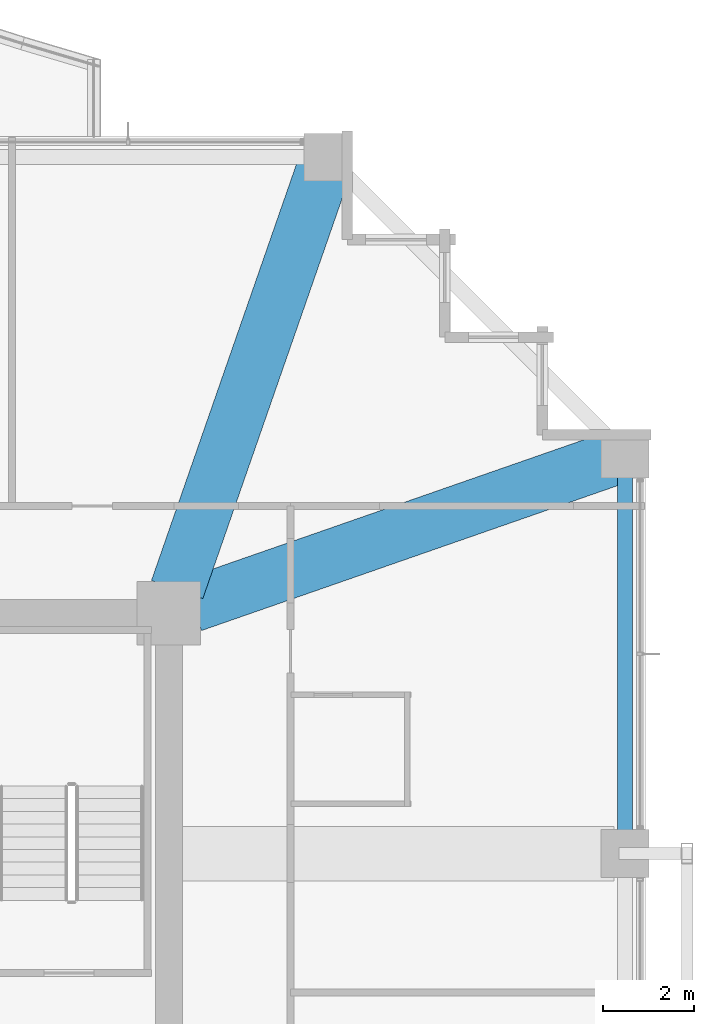
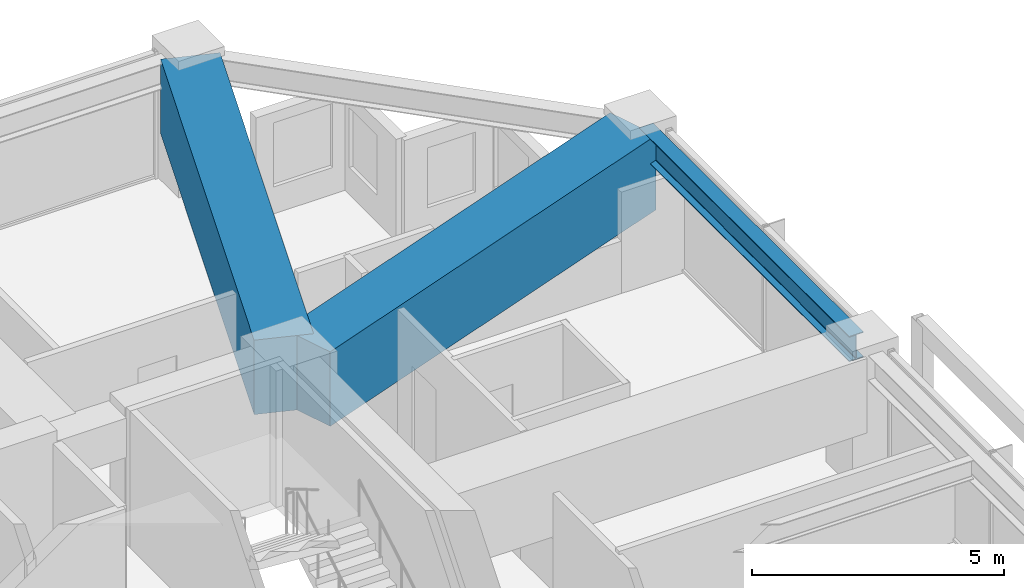
# One storey, part 25 of 39: 3 beams.
"""IFC4 building model written with IfcOpenShell, lengths in metres."""

import ifcopenshell
import ifcopenshell.guid

model = None  # the IFC model being written
_history = None  # IfcOwnerHistory: only IFC2X3 demands one
_inside = {}  # id of a spatial element -> (the spatial element, [elements in it])
_under = {}  # id of a project, library or spatial element -> (it, [spatial elements below it])
_declared = {}  # id of a project -> (the project, [libraries it declares])
_typed = {}  # id of a type object -> (the type object, [elements of that type])
_made_of = {}  # id of a material, layer set ... -> (it, [elements and type objects made of it])


def new_model(schema):
    """Start an empty IFC model of exactly this schema.

    Asked for "IFC4X3", IfcOpenShell would pick the latest addendum, in which some entities
    have other attributes; the version numbers below select the first issue.
    IFC2X3 requires an IfcOwnerHistory on every rooted entity: one is made here for all.
    """
    global model, _history
    if schema == "IFC4X3":
        model = ifcopenshell.file(schema_version=(4, 3, 0, 0))
    else:
        model = ifcopenshell.file(schema=schema)
    _inside.clear()
    _under.clear()
    _declared.clear()
    _typed.clear()
    _made_of.clear()
    _history = None
    if model.schema == "IFC2X3":
        org = make("IfcOrganization", Name="unknown")
        user = make(
            "IfcPersonAndOrganization",
            ThePerson=make("IfcPerson", FamilyName="unknown"),
            TheOrganization=org,
        )
        app = make(
            "IfcApplication",
            ApplicationDeveloper=org,
            Version="unknown",
            ApplicationFullName="unknown",
            ApplicationIdentifier="unknown",
        )
        _history = make(
            "IfcOwnerHistory",
            OwningUser=user,
            OwningApplication=app,
            ChangeAction="ADDED",
            CreationDate=0,
        )
    return model


def make(cls, **values):
    """One entity of the class cls with the attributes given. An attribute that is None is left unset."""
    return model.create_entity(
        cls, **{name: value for name, value in values.items() if value is not None}
    )


def rooted(cls, **values):
    """An entity with a GlobalId (a new one), such as an element, a storey or a relation."""
    return make(cls, GlobalId=ifcopenshell.guid.new(), OwnerHistory=_history, **values)


def si_unit(unit_type, name, prefix=None):
    """IfcSIUnit, for example si_unit("LENGTHUNIT", "METRE", prefix="MILLI")."""
    return make("IfcSIUnit", UnitType=unit_type, Prefix=prefix, Name=name)


def assignment(units):
    """IfcUnitAssignment: the units of a project."""
    return None if units is None else make("IfcUnitAssignment", Units=units)


def point(xyz):
    """IfcCartesianPoint."""
    return None if xyz is None else make("IfcCartesianPoint", Coordinates=xyz)


def direction(xyz):
    """IfcDirection."""
    return None if xyz is None else make("IfcDirection", DirectionRatios=xyz)


def frame(location, z_axis=None, x_axis=None):
    """IfcAxis2Placement3D, a coordinate frame: its origin and axes. An axis left out is left unset."""
    return make(
        "IfcAxis2Placement3D",
        Location=point(location),
        Axis=direction(z_axis),
        RefDirection=direction(x_axis),
    )


def frame_2d(location, x_axis=None):
    """IfcAxis2Placement2D, a coordinate frame in the plane: its origin and x axis."""
    return make(
        "IfcAxis2Placement2D", Location=point(location), RefDirection=direction(x_axis)
    )


def origin():
    """The frame at (0, 0, 0) with its axes left unset."""
    return frame((0.0, 0.0, 0.0))


def origin_2d():
    """The frame at (0, 0) in the plane with its x axis left unset."""
    return frame_2d((0.0, 0.0))


def place(relative_to, where):
    """IfcLocalPlacement: puts the frame where relative to a parent placement (None: the world)."""
    return make(
        "IfcLocalPlacement", PlacementRelTo=relative_to, RelativePlacement=where
    )


def context(
    kind, dimensions, precision=None, world=None, true_north=None, identifier=None
):
    """IfcGeometricRepresentationContext, for example the 3D "Model" context."""
    return make(
        "IfcGeometricRepresentationContext",
        ContextIdentifier=identifier,
        ContextType=kind,
        CoordinateSpaceDimension=dimensions,
        Precision=precision,
        WorldCoordinateSystem=world,
        TrueNorth=true_north,
    )


def subcontext(parent, identifier, kind, view, scale=None):
    """IfcGeometricRepresentationSubContext, for example "Body" below "Model"."""
    return make(
        "IfcGeometricRepresentationSubContext",
        ContextIdentifier=identifier,
        ContextType=kind,
        ParentContext=parent,
        TargetScale=scale,
        TargetView=view,
    )


def project(units=None, contexts=None):
    """IfcProject with its units and contexts."""
    return rooted(
        "IfcProject",
        Name="project",
        RepresentationContexts=contexts,
        UnitsInContext=assignment(units),
    )


def spatial(cls, under=None, at=None, **own):
    """A site, building, storey or space (cls), placed at a placement, below another one or the project."""
    s = rooted(cls, ObjectPlacement=at, **own)
    if under is not None:
        _under.setdefault(under.id(), (under, []))[1].append(s)
    return s


def profile(cls, at=None, kind="AREA", **sizes):
    """A parametric profile (cls). Its sizes go by their IFC names, for example OverallWidth=200.0."""
    return make(cls, ProfileType=kind, Position=at, **sizes)


def rectangle(**sizes):
    """IfcRectangleProfileDef."""
    return profile("IfcRectangleProfileDef", **sizes)


def i_section(**sizes):
    """IfcIShapeProfileDef."""
    return profile("IfcIShapeProfileDef", **sizes)


def extrude(swept, where, along, depth):
    """IfcExtrudedAreaSolid: the profile swept, set in the frame where, extruded along a direction by depth."""
    return make(
        "IfcExtrudedAreaSolid",
        SweptArea=swept,
        Position=where,
        ExtrudedDirection=direction(along),
        Depth=depth,
    )


def shape(context_of_items, identifier, shape_type, items):
    """IfcShapeRepresentation: the items that make up one representation, for example the "Body"."""
    return make(
        "IfcShapeRepresentation",
        ContextOfItems=context_of_items,
        RepresentationIdentifier=identifier,
        RepresentationType=shape_type,
        Items=items,
    )


def material(Name=None, Category=None):
    """IfcMaterial."""
    return make("IfcMaterial", Name=Name, Category=Category)


def material_profile(
    of_material, cross_section, Name=None, Category=None, Priority=None
):
    """IfcMaterialProfile: a cross section and its material."""
    return make(
        "IfcMaterialProfile",
        Name=Name,
        Material=of_material,
        Profile=cross_section,
        Priority=Priority,
        Category=Category,
    )


def profile_set(profiles, Name=None, composite=None):
    """IfcMaterialProfileSet."""
    return make(
        "IfcMaterialProfileSet",
        Name=Name,
        MaterialProfiles=profiles,
        CompositeProfile=composite,
    )


def made_of(thing, what):
    """Note that an element or type object is made of a material, layer set ...; save() writes the relation."""
    if what is not None:
        _made_of.setdefault(what.id(), (what, []))[1].append(thing)
    return thing


def type_object(cls, material=None, **own):
    """A type object (cls), such as IfcWallType, which elements share."""
    return made_of(rooted(cls, **own), material)


def element(
    cls,
    number,
    at=None,
    inside=None,
    cuts=None,
    type_object=None,
    material=None,
    context=None,
    identifier="Body",
    shape_type=None,
    held_by="IfcProductDefinitionShape",
    body=None,
    shapes=None,
    **own,
):
    """One element of the class cls, such as IfcWall. Its Tag is "e" and its number.

    at: its placement. inside: the storey or other place that contains it. cuts: it is an
    opening in that element (IfcRelVoidsElement). A single representation is given by context,
    identifier, shape_type and body (its items); several are given by shapes. held_by: the class
    of the entity that holds the representations. save() writes the other relations.
    """
    e = rooted(cls, Tag="e%d" % number, ObjectPlacement=at, **own)
    if body is not None:
        shapes = [shape(context, identifier, shape_type, body)]
    if shapes is not None:
        e.Representation = make(held_by, Representations=shapes)
    if inside is not None:
        _inside.setdefault(inside.id(), (inside, []))[1].append(e)
    if cuts is not None:
        rooted(
            "IfcRelVoidsElement", RelatingBuildingElement=cuts, RelatedOpeningElement=e
        )
    if type_object is not None:
        _typed.setdefault(type_object.id(), (type_object, []))[1].append(e)
    return made_of(e, material)


def aggregate(whole, parts):
    """IfcRelAggregates: a whole, such as a stair, and the parts it consists of."""
    return rooted("IfcRelAggregates", RelatingObject=whole, RelatedObjects=parts)


def save(model, path):
    """Write the relations noted so far, then the file.

    IfcRelAggregates (storeys below a building ...), IfcRelContainedInSpatialStructure (elements
    in a storey), IfcRelDefinesByType, IfcRelAssociatesMaterial and IfcRelDeclares: one each for
    every whole, place, type object, material and project.
    """
    for whole, parts in _under.values():
        aggregate(whole, parts)
    for where, things in _inside.values():
        rooted(
            "IfcRelContainedInSpatialStructure",
            RelatedElements=things,
            RelatingStructure=where,
        )
    for kind, things in _typed.values():
        rooted("IfcRelDefinesByType", RelatedObjects=things, RelatingType=kind)
    for what, things in _made_of.values():
        rooted("IfcRelAssociatesMaterial", RelatedObjects=things, RelatingMaterial=what)
    for by, libraries in _declared.values():
        rooted("IfcRelDeclares", RelatingContext=by, RelatedDefinitions=libraries)
    model.write(path)


model = new_model("IFC4")

# Units and contexts
model_context = context("Model", 3, precision=1e-05, world=origin(), true_north=direction((0.0, 1.0)))
body_context = subcontext(model_context, "Body", "Model", "MODEL_VIEW")
ifc_project = project(units=[si_unit("LENGTHUNIT", "METRE"), si_unit("AREAUNIT", "SQUARE_METRE"), si_unit("VOLUMEUNIT", "CUBIC_METRE"), si_unit("PLANEANGLEUNIT", "RADIAN"), si_unit("MASSUNIT", "GRAM", prefix="KILO")], contexts=[model_context])

# Site, building, storey
site_placement = place(None, origin())
site = spatial("IfcSite", under=ifc_project, at=site_placement, CompositionType="ELEMENT")
building_placement = place(site_placement, origin())
building = spatial("IfcBuilding", under=site, at=building_placement, Name="Kolvaren Belvedere", CompositionType="ELEMENT")
storey_placement = place(building_placement, frame((0.0, 0.0, 85.39990234375)))
storey = spatial("IfcBuildingStorey", under=building, at=storey_placement, Name="L24", CompositionType="ELEMENT", Elevation=85.39990234375)

# Beams
ifc_material_1 = material(Name="Structural steel ASTM A992 Grade 50", Category="steel")
ifc_material_profile_1 = material_profile(ifc_material_1, i_section(OverallWidth=0.324951171875, OverallDepth=0.615966796875, WebThickness=0.013916015625, FlangeThickness=0.021484375, FilletRadius=0.02001953125, at=origin_2d()), Name="W24X117")
ifc_profile_set_1 = profile_set([ifc_material_profile_1], Name="Structural steel ASTM A992 Grade 50")
beam_type_1 = type_object("IfcBeamType", Name="BM-SPAN-W24X117", PredefinedType="SPANDREL", material=ifc_profile_set_1)
beam_placement = place(storey_placement, frame((19.949951171875, 4.836181640625, 2.772216796875), z_axis=(0.0, 1.0, 0.0), x_axis=(-1.0, 0.0, 0.0)))
element("IfcBeam", 1, at=beam_placement, inside=storey, type_object=beam_type_1, Name="L24 Perimeter Spandrel E3-E4", PredefinedType="SPANDREL", context=body_context, shape_type="SweptSolid", body=[
    extrude(i_section(OverallWidth=0.324951171875, OverallDepth=0.615966796875, WebThickness=0.013916015625, FlangeThickness=0.021484375, FilletRadius=0.02001953125, at=origin_2d()), origin(), (0.0, 0.0, 1.0), 8.32763671875),
])
ifc_material_2 = material(Name="Concrete C50/60", Category="concrete")
ifc_material_profile_2 = material_profile(ifc_material_2, rectangle(XDim=1.199951171875, YDim=1.800048828125, at=origin_2d()), Name="RC 1200X1800")
ifc_profile_set_2 = profile_set([ifc_material_profile_2], Name="Concrete C50/60")
beam_type_2 = type_object("IfcBeamType", Name="BM-TG-1800", PredefinedType="BEAM", material=ifc_profile_set_2)
for number, where, z_axis, x_axis, name in (
    (2, (10.080810546875, 10.41943359375, 2.18017578125), (0.328880894453, 0.944371408538, 0.0), (-0.944371408538, 0.328880894453, 0.0), "L24 Corner Core-to-Perimeter Girder CC3-N4"),
    (3, (10.41943359375, 10.080810546875, 2.18017578125), (0.944371408538, 0.328880894453, 0.0), (-0.328880894453, 0.944371408538, 0.0), "L24 Corner Core-to-Perimeter Girder CC3-E4"),
):
    element("IfcBeam", number, at=place(storey_placement, frame(where, z_axis=z_axis, x_axis=x_axis)), inside=storey, type_object=beam_type_2, Name=name, PredefinedType="BEAM", context=body_context, shape_type="SweptSolid", body=[
        extrude(rectangle(XDim=1.199951171875, YDim=1.800048828125, at=origin_2d()), origin(), (0.0, 0.0, 1.0), 9.882080078125),
    ])

save(model, "model.ifc")
